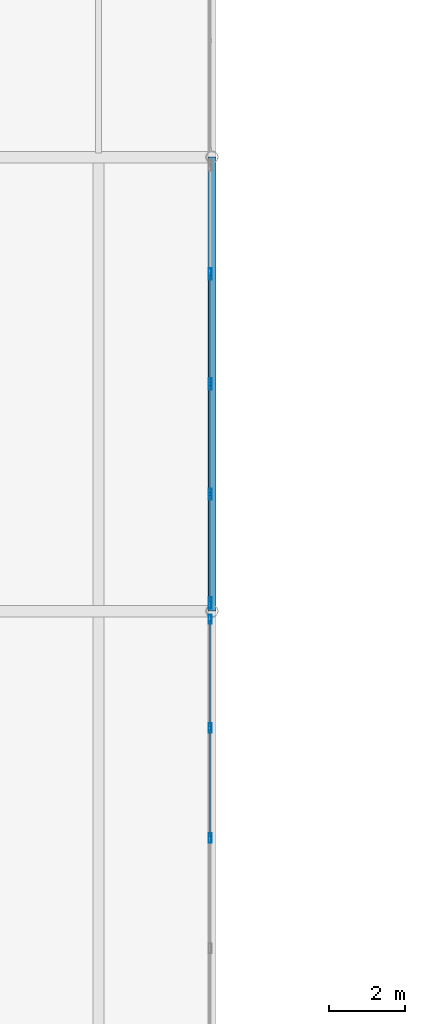
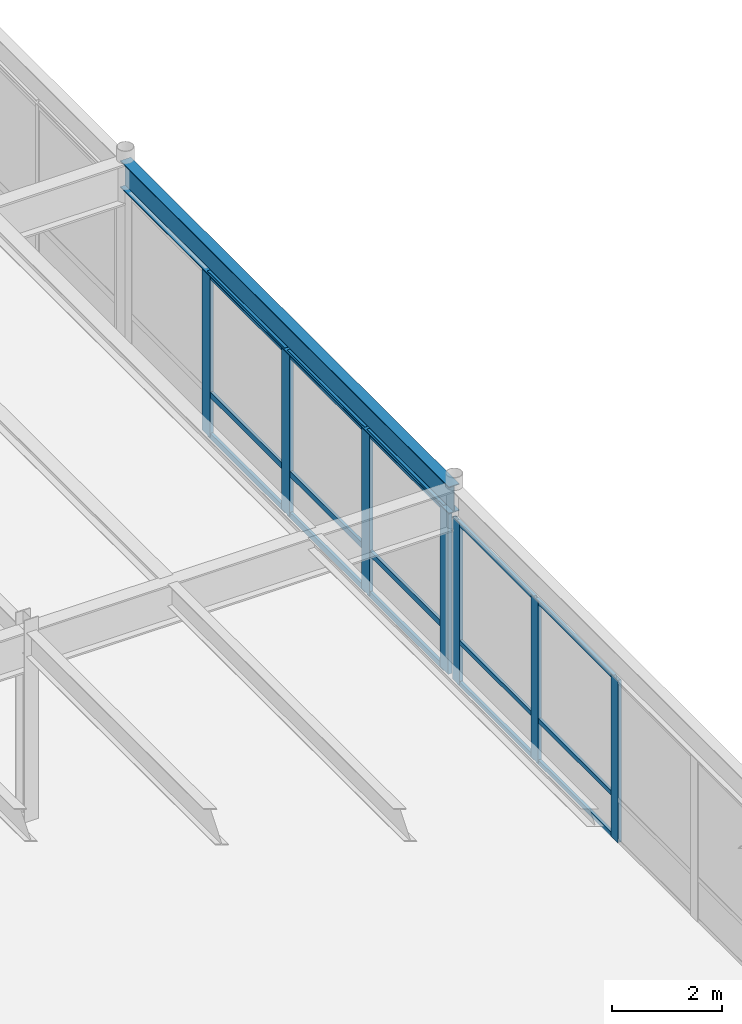
# One storey, part 38 of 127: 22 members, 1 beam, 2 elements without a shape of their own.
"""IFC4 building model written with IfcOpenShell, lengths in metres."""

from ifc_helpers import new_model, si_unit, direction, frame, origin, origin_2d, place, context, subcontext, project, spatial, hollow_rectangle, i_section, extrude, material, layer, layer_set, material_profile, profile_set, type_object, element, aggregate, save


model = new_model("IFC4")

# Units and contexts
model_context = context("Model", 3, precision=1e-05, world=origin(), true_north=direction((0.0, 1.0)))
body_context = subcontext(model_context, "Body", "Model", "MODEL_VIEW")
ifc_project = project(units=[si_unit("LENGTHUNIT", "METRE"), si_unit("AREAUNIT", "SQUARE_METRE"), si_unit("VOLUMEUNIT", "CUBIC_METRE"), si_unit("PLANEANGLEUNIT", "RADIAN"), si_unit("MASSUNIT", "GRAM", prefix="KILO")], contexts=[model_context])

# Site, building, storey
site_placement = place(None, origin())
site = spatial("IfcSite", under=ifc_project, at=site_placement, CompositionType="ELEMENT")
building_placement = place(site_placement, origin())
building = spatial("IfcBuilding", under=site, at=building_placement, Name="Montelvaro Courts of Justice", CompositionType="ELEMENT")
storey_placement = place(building_placement, frame((0.0, 0.0, 5.39990234375)))
storey = spatial("IfcBuildingStorey", under=building, at=storey_placement, Name="L01", CompositionType="ELEMENT", Elevation=5.39990234375)

# Beam
ifc_material_1 = material(Name="Steel S355", Category="steel")
ifc_material_profile_1 = material_profile(ifc_material_1, i_section(OverallWidth=0.219970703125, OverallDepth=0.60009765625, WebThickness=0.011962890625, FlangeThickness=0.01904296875, at=origin_2d()), Name="IPE 600")
ifc_profile_set_1 = profile_set([ifc_material_profile_1], Name="Steel S355")
beam_type = type_object("IfcBeamType", Name="Beam_IPE600", PredefinedType="USERDEFINED", material=ifc_profile_set_1)
beam_placement = place(storey_placement, frame((81.0, 54.0, 3.920166015625), z_axis=(0.0, 1.0, 0.0), x_axis=(-1.0, 0.0, 0.0)))
element("IfcBeam", 1, at=beam_placement, inside=storey, type_object=beam_type, Name="Beam B-12 L01", ObjectType="GIRDER", PredefinedType="USERDEFINED", context=body_context, shape_type="SweptSolid", body=[
    extrude(i_section(OverallWidth=0.219970703125, OverallDepth=0.60009765625, WebThickness=0.011962890625, FlangeThickness=0.01904296875, at=origin_2d()), origin(), (0.0, 0.0, 1.0), 12.0),
])

# Curtain wall, members
ifc_material_2 = material(Name="Anodised aluminium EN AW-6063", Category="aluminium")
ifc_layer = layer(ifc_material_2, 0.159912109375)
ifc_layer_set = layer_set([ifc_layer], Name="Anodised aluminium EN AW-6063")
curtain_wall_type = type_object("IfcCurtainWallType", Name="CurtainWall_16_1165x418", PredefinedType="USERDEFINED", material=ifc_layer_set)
curtain_wall_1_placement = place(storey_placement, origin())
curtain_wall_1 = element("IfcCurtainWall", 2, at=curtain_wall_1_placement, inside=storey, type_object=curtain_wall_type, Name="Curtain Wall CW-16 (L01)", ObjectType="CURTAIN WALL", PredefinedType="USERDEFINED")
ifc_material_profile_2 = material_profile(ifc_material_2, hollow_rectangle(XDim=0.074951171875, YDim=0.25, WallThickness=0.005615234375, at=origin_2d()), Name="ALU-M 75x250")
ifc_profile_set_2 = profile_set([ifc_material_profile_2], Name="Anodised aluminium EN AW-6063")
member_type_1 = type_object("IfcMemberType", Name="CurtainWall_Mullion_75x250", PredefinedType="MULLION", material=ifc_profile_set_2)
member_1_placement = place(storey_placement, frame((80.949951171875, 48.0, 0.0), z_axis=(0.0, 0.0, 1.0), x_axis=(-1.0, 0.0, 0.0)))
member_1 = element("IfcMember", 3, at=member_1_placement, type_object=member_type_1, Name="CW-16 mullion 3", PredefinedType="MULLION", context=body_context, shape_type="SweptSolid", body=[
    extrude(hollow_rectangle(XDim=0.074951171875, YDim=0.25, WallThickness=0.005615234375, at=origin_2d()), origin(), (0.0, 0.0, 1.0), 3.614990234375),
])
member_2_placement = place(storey_placement, frame((80.949951171875, 50.91162109375, 0.0), z_axis=(0.0, 0.0, 1.0), x_axis=(-1.0, 0.0, 0.0)))
member_2 = element("IfcMember", 4, at=member_2_placement, type_object=member_type_1, Name="CW-16 mullion 4", PredefinedType="MULLION", context=body_context, shape_type="SweptSolid", body=[
    extrude(hollow_rectangle(XDim=0.074951171875, YDim=0.25, WallThickness=0.005615234375, at=origin_2d()), origin(), (0.0, 0.0, 1.0), 3.614990234375),
])
member_3_placement = place(storey_placement, frame((80.949951171875, 53.78564453125, 0.0), z_axis=(0.0, 0.0, 1.0), x_axis=(-1.0, 0.0, 0.0)))
member_3 = element("IfcMember", 5, at=member_3_placement, type_object=member_type_1, Name="CW-16 mullion 5", PredefinedType="MULLION", context=body_context, shape_type="SweptSolid", body=[
    extrude(hollow_rectangle(XDim=0.074951171875, YDim=0.25, WallThickness=0.005615234375, at=origin_2d()), origin(), (0.0, 0.0, 1.0), 3.614990234375),
])

curtain_wall_2_placement = place(storey_placement, origin())
curtain_wall_2 = element("IfcCurtainWall", 6, at=curtain_wall_2_placement, inside=storey, type_object=curtain_wall_type, Name="Curtain Wall CW-16 (L01)", ObjectType="CURTAIN WALL", PredefinedType="USERDEFINED")
ifc_material_profile_3 = material_profile(ifc_material_2, hollow_rectangle(XDim=0.074951171875, YDim=0.300048828125, WallThickness=0.006103515625, at=origin_2d()), Name="ALU-M 75x300")
ifc_profile_set_3 = profile_set([ifc_material_profile_3], Name="Anodised aluminium EN AW-6063")
member_type_2 = type_object("IfcMemberType", Name="CurtainWall_Mullion_75x300", PredefinedType="MULLION", material=ifc_profile_set_3)
member_4_placement = place(storey_placement, frame((80.949951171875, 54.21435546875, 0.0), z_axis=(0.0, 0.0, 1.0), x_axis=(-1.0, 0.0, 0.0)))
member_4 = element("IfcMember", 7, at=member_4_placement, type_object=member_type_2, Name="CW-16 mullion 1", PredefinedType="MULLION", context=body_context, shape_type="SweptSolid", body=[
    extrude(hollow_rectangle(XDim=0.074951171875, YDim=0.300048828125, WallThickness=0.006103515625, at=origin_2d()), origin(), (0.0, 0.0, 1.0), 3.614990234375),
])
member_5_placement = place(storey_placement, frame((80.949951171875, 57.08837890625, 0.0), z_axis=(0.0, 0.0, 1.0), x_axis=(-1.0, 0.0, 0.0)))
member_5 = element("IfcMember", 8, at=member_5_placement, type_object=member_type_2, Name="CW-16 mullion 2", PredefinedType="MULLION", context=body_context, shape_type="SweptSolid", body=[
    extrude(hollow_rectangle(XDim=0.074951171875, YDim=0.300048828125, WallThickness=0.006103515625, at=origin_2d()), origin(), (0.0, 0.0, 1.0), 3.614990234375),
])
member_6_placement = place(storey_placement, frame((80.949951171875, 60.0, 0.0), z_axis=(0.0, 0.0, 1.0), x_axis=(-1.0, 0.0, 0.0)))
member_6 = element("IfcMember", 9, at=member_6_placement, type_object=member_type_2, Name="CW-16 mullion 3", PredefinedType="MULLION", context=body_context, shape_type="SweptSolid", body=[
    extrude(hollow_rectangle(XDim=0.074951171875, YDim=0.300048828125, WallThickness=0.006103515625, at=origin_2d()), origin(), (0.0, 0.0, 1.0), 3.614990234375),
])
member_7_placement = place(storey_placement, frame((80.949951171875, 62.911376953125, 0.0), z_axis=(0.0, 0.0, 1.0), x_axis=(-1.0, 0.0, 0.0)))
member_7 = element("IfcMember", 10, at=member_7_placement, type_object=member_type_2, Name="CW-16 mullion 4", PredefinedType="MULLION", context=body_context, shape_type="SweptSolid", body=[
    extrude(hollow_rectangle(XDim=0.074951171875, YDim=0.300048828125, WallThickness=0.006103515625, at=origin_2d()), origin(), (0.0, 0.0, 1.0), 3.614990234375),
])

# Member
ifc_material_profile_4 = material_profile(ifc_material_2, hollow_rectangle(XDim=0.06005859375, YDim=0.10009765625, WallThickness=0.00341796875, at=origin_2d()), Name="ALU-T 60x100")
ifc_profile_set_4 = profile_set([ifc_material_profile_4], Name="Anodised aluminium EN AW-6063")
member_type_3 = type_object("IfcMemberType", Name="CurtainWall_Transom_60x100", PredefinedType="USERDEFINED", material=ifc_profile_set_4)
member_8_placement = place(storey_placement, frame((80.949951171875, 48.03759765625, 0.030029296875), z_axis=(0.0, 1.0, 0.0), x_axis=(-1.0, 0.0, 0.0)))
member_8 = element("IfcMember", 11, at=member_8_placement, type_object=member_type_3, Name="CW-16 transom 3.1", ObjectType="TRANSOM", PredefinedType="USERDEFINED", context=body_context, shape_type="SweptSolid", body=[
    extrude(hollow_rectangle(XDim=0.06005859375, YDim=0.10009765625, WallThickness=0.00341796875, at=origin_2d()), origin(), (0.0, 0.0, 1.0), 2.83642578125),
])

member_9_placement = place(storey_placement, frame((80.949951171875, 48.03759765625, 0.9501953125), z_axis=(0.0, 1.0, 0.0), x_axis=(-1.0, 0.0, 0.0)))
member_9 = element("IfcMember", 12, at=member_9_placement, type_object=member_type_3, Name="CW-16 transom 3.2", ObjectType="TRANSOM", PredefinedType="USERDEFINED", context=body_context, shape_type="SweptSolid", body=[
    extrude(hollow_rectangle(XDim=0.06005859375, YDim=0.10009765625, WallThickness=0.00341796875, at=origin_2d()), origin(), (0.0, 0.0, 1.0), 2.83642578125),
])

member_10_placement = place(storey_placement, frame((80.949951171875, 48.03759765625, 3.585205078125), z_axis=(0.0, 1.0, 0.0), x_axis=(-1.0, 0.0, 0.0)))
member_10 = element("IfcMember", 13, at=member_10_placement, type_object=member_type_3, Name="CW-16 transom 3.3", ObjectType="TRANSOM", PredefinedType="USERDEFINED", context=body_context, shape_type="SweptSolid", body=[
    extrude(hollow_rectangle(XDim=0.06005859375, YDim=0.10009765625, WallThickness=0.00341796875, at=origin_2d()), origin(), (0.0, 0.0, 1.0), 2.83642578125),
])

member_11_placement = place(storey_placement, frame((80.949951171875, 50.948974609375, 0.030029296875), z_axis=(0.0, 1.0, 0.0), x_axis=(-1.0, 0.0, 0.0)))
member_11 = element("IfcMember", 14, at=member_11_placement, type_object=member_type_3, Name="CW-16 transom 4.1", ObjectType="TRANSOM", PredefinedType="USERDEFINED", context=body_context, shape_type="SweptSolid", body=[
    extrude(hollow_rectangle(XDim=0.06005859375, YDim=0.10009765625, WallThickness=0.00341796875, at=origin_2d()), origin(), (0.0, 0.0, 1.0), 2.799072265625),
])

member_12_placement = place(storey_placement, frame((80.949951171875, 50.948974609375, 0.9501953125), z_axis=(0.0, 1.0, 0.0), x_axis=(-1.0, 0.0, 0.0)))
member_12 = element("IfcMember", 15, at=member_12_placement, type_object=member_type_3, Name="CW-16 transom 4.2", ObjectType="TRANSOM", PredefinedType="USERDEFINED", context=body_context, shape_type="SweptSolid", body=[
    extrude(hollow_rectangle(XDim=0.06005859375, YDim=0.10009765625, WallThickness=0.00341796875, at=origin_2d()), origin(), (0.0, 0.0, 1.0), 2.799072265625),
])

member_13_placement = place(storey_placement, frame((80.949951171875, 50.948974609375, 3.585205078125), z_axis=(0.0, 1.0, 0.0), x_axis=(-1.0, 0.0, 0.0)))
member_13 = element("IfcMember", 16, at=member_13_placement, type_object=member_type_3, Name="CW-16 transom 4.3", ObjectType="TRANSOM", PredefinedType="USERDEFINED", context=body_context, shape_type="SweptSolid", body=[
    extrude(hollow_rectangle(XDim=0.06005859375, YDim=0.10009765625, WallThickness=0.00341796875, at=origin_2d()), origin(), (0.0, 0.0, 1.0), 2.799072265625),
])

aggregate(curtain_wall_1, [member_1, member_2, member_3, member_8, member_9, member_10, member_11, member_12, member_13])

ifc_material_profile_5 = material_profile(ifc_material_2, hollow_rectangle(XDim=0.06005859375, YDim=0.1298828125, WallThickness=0.00390625, at=origin_2d()), Name="ALU-T 60x130")
ifc_profile_set_5 = profile_set([ifc_material_profile_5], Name="Anodised aluminium EN AW-6063")
member_type_4 = type_object("IfcMemberType", Name="CurtainWall_Transom_60x130", PredefinedType="USERDEFINED", material=ifc_profile_set_5)
member_14_placement = place(storey_placement, frame((80.949951171875, 54.251953125, 0.030029296875), z_axis=(0.0, 1.0, 0.0), x_axis=(-1.0, 0.0, 0.0)))
member_14 = element("IfcMember", 17, at=member_14_placement, type_object=member_type_4, Name="CW-16 transom 1.1", ObjectType="TRANSOM", PredefinedType="USERDEFINED", context=body_context, shape_type="SweptSolid", body=[
    extrude(hollow_rectangle(XDim=0.06005859375, YDim=0.1298828125, WallThickness=0.00390625, at=origin_2d()), origin(), (0.0, 0.0, 1.0), 2.799072265625),
])

member_15_placement = place(storey_placement, frame((80.949951171875, 54.251953125, 0.9501953125), z_axis=(0.0, 1.0, 0.0), x_axis=(-1.0, 0.0, 0.0)))
member_15 = element("IfcMember", 18, at=member_15_placement, type_object=member_type_4, Name="CW-16 transom 1.2", ObjectType="TRANSOM", PredefinedType="USERDEFINED", context=body_context, shape_type="SweptSolid", body=[
    extrude(hollow_rectangle(XDim=0.06005859375, YDim=0.1298828125, WallThickness=0.00390625, at=origin_2d()), origin(), (0.0, 0.0, 1.0), 2.799072265625),
])

member_16_placement = place(storey_placement, frame((80.949951171875, 54.251953125, 3.585205078125), z_axis=(0.0, 1.0, 0.0), x_axis=(-1.0, 0.0, 0.0)))
member_16 = element("IfcMember", 19, at=member_16_placement, type_object=member_type_4, Name="CW-16 transom 1.3", ObjectType="TRANSOM", PredefinedType="USERDEFINED", context=body_context, shape_type="SweptSolid", body=[
    extrude(hollow_rectangle(XDim=0.06005859375, YDim=0.1298828125, WallThickness=0.00390625, at=origin_2d()), origin(), (0.0, 0.0, 1.0), 2.799072265625),
])

member_17_placement = place(storey_placement, frame((80.949951171875, 57.1259765625, 0.030029296875), z_axis=(0.0, 1.0, 0.0), x_axis=(-1.0, 0.0, 0.0)))
member_17 = element("IfcMember", 20, at=member_17_placement, type_object=member_type_4, Name="CW-16 transom 2.1", ObjectType="TRANSOM", PredefinedType="USERDEFINED", context=body_context, shape_type="SweptSolid", body=[
    extrude(hollow_rectangle(XDim=0.06005859375, YDim=0.1298828125, WallThickness=0.00390625, at=origin_2d()), origin(), (0.0, 0.0, 1.0), 2.83642578125),
])

member_18_placement = place(storey_placement, frame((80.949951171875, 57.1259765625, 0.9501953125), z_axis=(0.0, 1.0, 0.0), x_axis=(-1.0, 0.0, 0.0)))
member_18 = element("IfcMember", 21, at=member_18_placement, type_object=member_type_4, Name="CW-16 transom 2.2", ObjectType="TRANSOM", PredefinedType="USERDEFINED", context=body_context, shape_type="SweptSolid", body=[
    extrude(hollow_rectangle(XDim=0.06005859375, YDim=0.1298828125, WallThickness=0.00390625, at=origin_2d()), origin(), (0.0, 0.0, 1.0), 2.83642578125),
])

member_19_placement = place(storey_placement, frame((80.949951171875, 57.1259765625, 3.585205078125), z_axis=(0.0, 1.0, 0.0), x_axis=(-1.0, 0.0, 0.0)))
member_19 = element("IfcMember", 22, at=member_19_placement, type_object=member_type_4, Name="CW-16 transom 2.3", ObjectType="TRANSOM", PredefinedType="USERDEFINED", context=body_context, shape_type="SweptSolid", body=[
    extrude(hollow_rectangle(XDim=0.06005859375, YDim=0.1298828125, WallThickness=0.00390625, at=origin_2d()), origin(), (0.0, 0.0, 1.0), 2.83642578125),
])

member_20_placement = place(storey_placement, frame((80.949951171875, 60.037353515625, 0.030029296875), z_axis=(0.0, 1.0, 0.0), x_axis=(-1.0, 0.0, 0.0)))
member_20 = element("IfcMember", 23, at=member_20_placement, type_object=member_type_4, Name="CW-16 transom 3.1", ObjectType="TRANSOM", PredefinedType="USERDEFINED", context=body_context, shape_type="SweptSolid", body=[
    extrude(hollow_rectangle(XDim=0.06005859375, YDim=0.1298828125, WallThickness=0.00390625, at=origin_2d()), origin(), (0.0, 0.0, 1.0), 2.836669921875),
])

member_21_placement = place(storey_placement, frame((80.949951171875, 60.037353515625, 0.9501953125), z_axis=(0.0, 1.0, 0.0), x_axis=(-1.0, 0.0, 0.0)))
member_21 = element("IfcMember", 24, at=member_21_placement, type_object=member_type_4, Name="CW-16 transom 3.2", ObjectType="TRANSOM", PredefinedType="USERDEFINED", context=body_context, shape_type="SweptSolid", body=[
    extrude(hollow_rectangle(XDim=0.06005859375, YDim=0.1298828125, WallThickness=0.00390625, at=origin_2d()), origin(), (0.0, 0.0, 1.0), 2.836669921875),
])

member_22_placement = place(storey_placement, frame((80.949951171875, 60.037353515625, 3.585205078125), z_axis=(0.0, 1.0, 0.0), x_axis=(-1.0, 0.0, 0.0)))
member_22 = element("IfcMember", 25, at=member_22_placement, type_object=member_type_4, Name="CW-16 transom 3.3", ObjectType="TRANSOM", PredefinedType="USERDEFINED", context=body_context, shape_type="SweptSolid", body=[
    extrude(hollow_rectangle(XDim=0.06005859375, YDim=0.1298828125, WallThickness=0.00390625, at=origin_2d()), origin(), (0.0, 0.0, 1.0), 2.836669921875),
])

aggregate(curtain_wall_2, [member_4, member_5, member_6, member_7, member_14, member_15, member_16, member_17, member_18, member_19, member_20, member_21, member_22])

save(model, "model.ifc")
